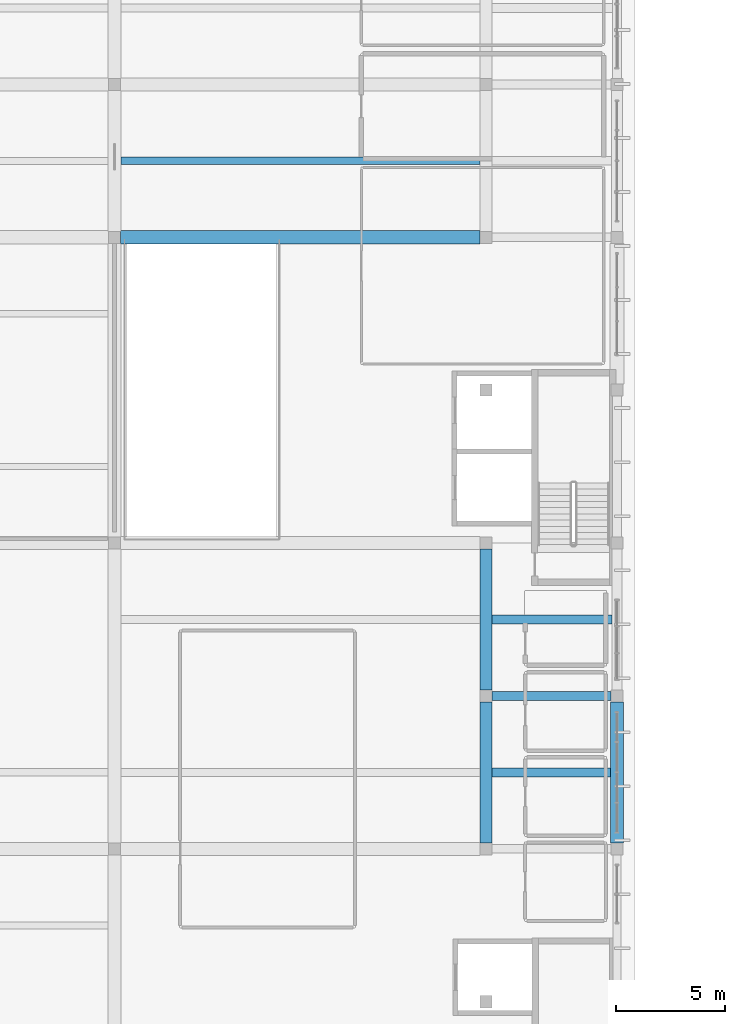
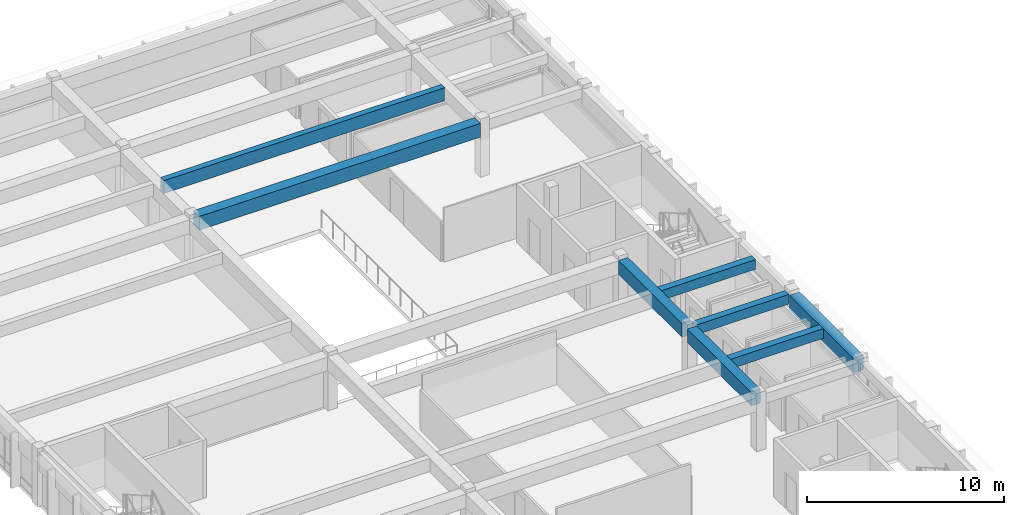
# One storey, part 9 of 23: 8 beams.
"""IFC4 building model written with IfcOpenShell, lengths in metres."""

from ifc_helpers import new_model, si_unit, direction, frame, origin, origin_2d, place, context, subcontext, project, spatial, rectangle, extrude, material, material_profile, profile_set, type_object, element, save


model = new_model("IFC4")

# Units and contexts
model_context = context("Model", 3, precision=1e-05, world=origin(), true_north=direction((0.0, 1.0)))
body_context = subcontext(model_context, "Body", "Model", "MODEL_VIEW")
ifc_project = project(units=[si_unit("LENGTHUNIT", "METRE"), si_unit("AREAUNIT", "SQUARE_METRE"), si_unit("VOLUMEUNIT", "CUBIC_METRE"), si_unit("PLANEANGLEUNIT", "RADIAN"), si_unit("MASSUNIT", "GRAM", prefix="KILO")], contexts=[model_context])

# Site, building, storey
site_placement = place(None, origin())
site = spatial("IfcSite", under=ifc_project, at=site_placement, CompositionType="ELEMENT")
building_placement = place(site_placement, origin())
building = spatial("IfcBuilding", under=site, at=building_placement, Name="Larkveld Mobility Hub", CompositionType="ELEMENT")
storey_placement = place(building_placement, frame((0.0, 0.0, 19.199951171875)))
storey = spatial("IfcBuildingStorey", under=building, at=storey_placement, Name="L05", CompositionType="ELEMENT", Elevation=19.199951171875)

# Beams
ifc_material_1 = material(Name="Precast concrete C50/60", Category="concrete")
ifc_material_profile_1 = material_profile(ifc_material_1, rectangle(XDim=0.340087890625, YDim=0.800048828125, at=origin_2d()), Name="PC DT 340x800")
ifc_profile_set_1 = profile_set([ifc_material_profile_1], Name="Precast concrete C50/60")
beam_type_1 = type_object("IfcBeamType", Name="BM-DT3480", PredefinedType="T_BEAM", material=ifc_profile_set_1)
beam_1_placement = place(storey_placement, frame((129.294921875, 73.5, 2.969970703125), z_axis=(1.0, 0.0, 0.0), x_axis=(0.0, 1.0, 0.0)))
element("IfcBeam", 1, at=beam_1_placement, inside=storey, type_object=beam_type_1, Name="Precast Double-Tee Stem L05-1155", PredefinedType="T_BEAM", context=body_context, shape_type="SweptSolid", body=[
    extrude(rectangle(XDim=0.340087890625, YDim=0.800048828125, at=origin_2d()), origin(), (0.0, 0.0, 1.0), 16.43505859375),
])
ifc_material_profile_2 = material_profile(ifc_material_1, rectangle(XDim=0.60009765625, YDim=0.85009765625, at=origin_2d()), Name="PC ITB 600x850")
ifc_profile_set_2 = profile_set([ifc_material_profile_2], Name="Precast concrete C50/60")
beam_type_2 = type_object("IfcBeamType", Name="BM-ITB6085", PredefinedType="T_BEAM", material=ifc_profile_set_2)
beam_2_placement = place(storey_placement, frame((129.27490234375, 70.0, 2.93505859375), z_axis=(1.0, 0.0, 0.0), x_axis=(0.0, 1.0, 0.0)))
element("IfcBeam", 2, at=beam_2_placement, inside=storey, type_object=beam_type_2, Name="Primary E-W Girder L05-0954", PredefinedType="T_BEAM", context=body_context, shape_type="SweptSolid", body=[
    extrude(rectangle(XDim=0.60009765625, YDim=0.85009765625, at=origin_2d()), origin(), (0.0, 0.0, 1.0), 16.4501953125),
])
ifc_material_2 = material(Name="Concrete C40/50", Category="concrete")
ifc_material_profile_3 = material_profile(ifc_material_2, rectangle(XDim=0.39990234375, YDim=0.60009765625, at=origin_2d()), Name="RC BM 400x600")
ifc_profile_set_3 = profile_set([ifc_material_profile_3], Name="Concrete C40/50")
beam_type_3 = type_object("IfcBeamType", Name="BM-RC4060", PredefinedType="BEAM", material=ifc_profile_set_3)
beam_3_placement = place(storey_placement, frame((146.27490234375, 49.0, 3.06005859375), z_axis=(1.0, 0.0, 0.0), x_axis=(0.0, 1.0, 0.0)))
element("IfcBeam", 3, at=beam_3_placement, inside=storey, type_object=beam_type_3, Name="Primary E-W Girder L05-0950", PredefinedType="BEAM", context=body_context, shape_type="SweptSolid", body=[
    extrude(rectangle(XDim=0.39990234375, YDim=0.60009765625, at=origin_2d()), origin(), (0.0, 0.0, 1.0), 5.4501953125),
])
beam_4_placement = place(storey_placement, frame((146.27001953125, 45.5, 3.070068359375), z_axis=(1.0, 0.0, 0.0), x_axis=(0.0, 1.0, 0.0)))
element("IfcBeam", 4, at=beam_4_placement, inside=storey, type_object=beam_type_3, Name="Concourse Spine Joist L05-1149", PredefinedType="BEAM", context=body_context, shape_type="SweptSolid", body=[
    extrude(rectangle(XDim=0.39990234375, YDim=0.60009765625, at=origin_2d()), origin(), (0.0, 0.0, 1.0), 5.43505859375),
])
beam_5_placement = place(storey_placement, frame((146.27001953125, 52.5, 3.070068359375), z_axis=(1.0, 0.0, 0.0), x_axis=(0.0, 1.0, 0.0)))
element("IfcBeam", 5, at=beam_5_placement, inside=storey, type_object=beam_type_3, Name="Concourse Spine Joist L05-1151", PredefinedType="BEAM", context=body_context, shape_type="SweptSolid", body=[
    extrude(rectangle(XDim=0.39990234375, YDim=0.60009765625, at=origin_2d()), origin(), (0.0, 0.0, 1.0), 5.510009765625),
])
ifc_material_profile_4 = material_profile(ifc_material_2, rectangle(XDim=0.550048828125, YDim=0.85009765625, at=origin_2d()), Name="RC BM 550x850")
ifc_profile_set_4 = profile_set([ifc_material_profile_4], Name="Concrete C40/50")
beam_type_4 = type_object("IfcBeamType", Name="BM-RC5585", PredefinedType="BEAM", material=ifc_profile_set_4)
for number, where, z_axis, x_axis, name in (
    (6, (146.0, 42.27490234375, 2.93505859375), (0.0, 1.0, 0.0), (-1.0, 0.0, 0.0), "Primary N-S Girder L05-0975"),
    (7, (146.0, 49.27490234375, 2.93505859375), (0.0, 1.0, 0.0), (-1.0, 0.0, 0.0), "Primary N-S Girder L05-0976"),
):
    element("IfcBeam", number, at=place(storey_placement, frame(where, z_axis=z_axis, x_axis=x_axis)), inside=storey, type_object=beam_type_4, Name=name, PredefinedType="BEAM", context=body_context, shape_type="SweptSolid", body=[
        extrude(rectangle(XDim=0.550048828125, YDim=0.85009765625, at=origin_2d()), origin(), (0.0, 0.0, 1.0), 6.4501953125),
    ])
ifc_material_profile_5 = material_profile(ifc_material_2, rectangle(XDim=0.60009765625, YDim=0.89990234375, at=origin_2d()), Name="RC BM 600x900")
ifc_profile_set_5 = profile_set([ifc_material_profile_5], Name="Concrete C40/50")
beam_type_5 = type_object("IfcBeamType", Name="BM-RC6090", PredefinedType="BEAM", material=ifc_profile_set_5)
beam_6_placement = place(storey_placement, frame((152.0, 42.27490234375, 2.91015625), z_axis=(0.0, 1.0, 0.0), x_axis=(-1.0, 0.0, 0.0)))
element("IfcBeam", 8, at=beam_6_placement, inside=storey, type_object=beam_type_5, Name="Primary N-S Girder L05-0981", PredefinedType="BEAM", context=body_context, shape_type="SweptSolid", body=[
    extrude(rectangle(XDim=0.60009765625, YDim=0.89990234375, at=origin_2d()), origin(), (0.0, 0.0, 1.0), 6.4501953125),
])

save(model, "model.ifc")
